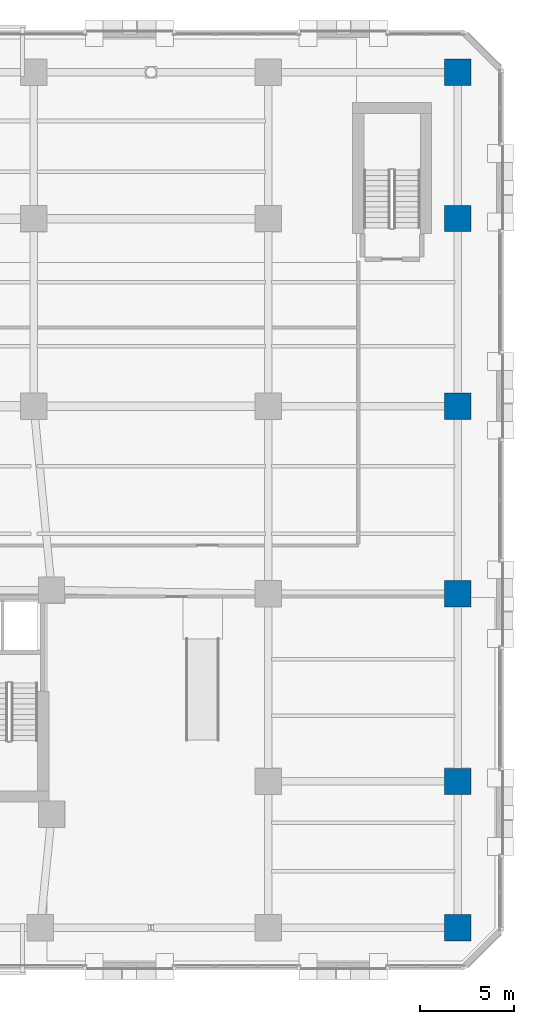
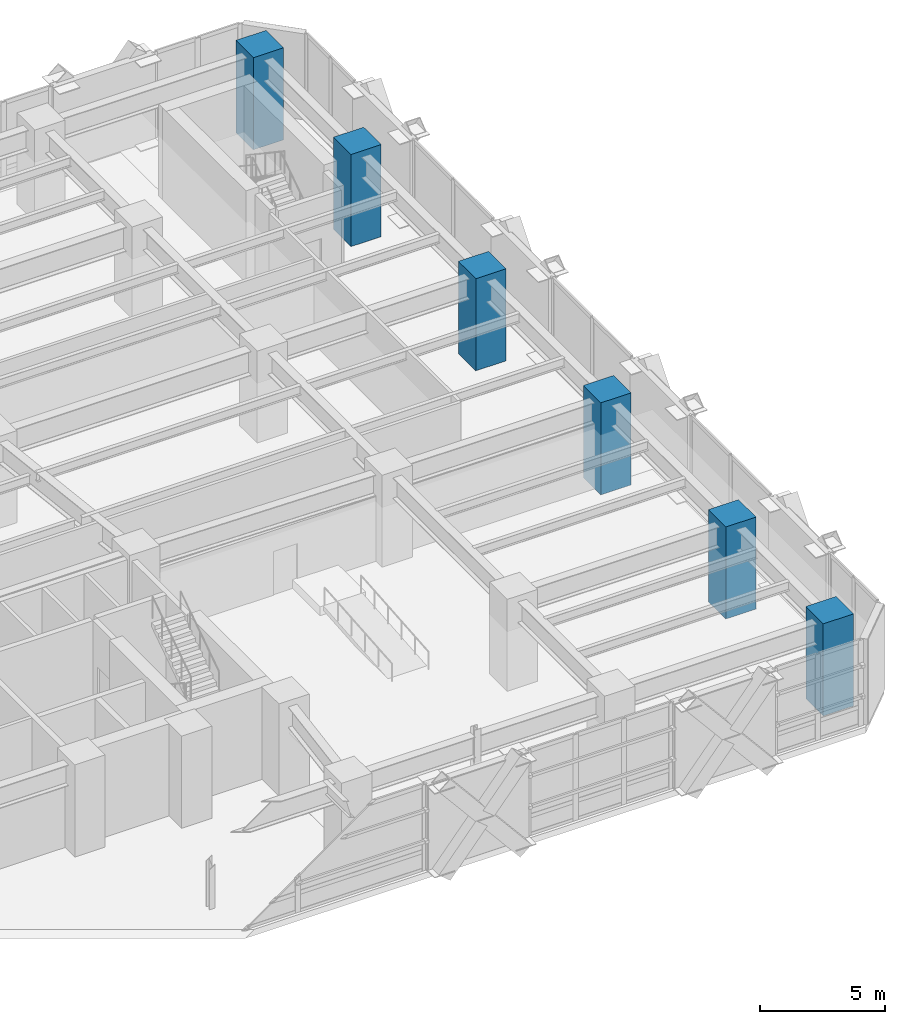
# One storey, part 5 of 30: 6 columns.
"""IFC4 building model written with IfcOpenShell, lengths in metres."""

from ifc_helpers import new_model, si_unit, direction, frame, origin, origin_2d, place, context, subcontext, project, spatial, rectangle, extrude, material, material_profile, profile_set, type_object, element, save


model = new_model("IFC4")

# Units and contexts
model_context = context("Model", 3, precision=1e-05, world=origin(), true_north=direction((0.0, 1.0)))
body_context = subcontext(model_context, "Body", "Model", "MODEL_VIEW")
ifc_project = project(units=[si_unit("LENGTHUNIT", "METRE"), si_unit("AREAUNIT", "SQUARE_METRE"), si_unit("VOLUMEUNIT", "CUBIC_METRE"), si_unit("PLANEANGLEUNIT", "RADIAN"), si_unit("MASSUNIT", "GRAM", prefix="KILO")], contexts=[model_context])

# Site, building, storey
site_placement = place(None, origin())
site = spatial("IfcSite", under=ifc_project, at=site_placement, CompositionType="ELEMENT")
building_placement = place(site_placement, origin())
building = spatial("IfcBuilding", under=site, at=building_placement, Name="Quenlor Broadcast Tower", CompositionType="ELEMENT")
storey_placement = place(building_placement, frame((0.0, 0.0, 9.5)))
storey = spatial("IfcBuildingStorey", under=building, at=storey_placement, Name="L02", CompositionType="ELEMENT", Elevation=9.5)

# Columns
ifc_material = material(Name="Concrete C65/80", Category="concrete")
ifc_material_profile = material_profile(ifc_material, rectangle(XDim=1.39990234375, YDim=1.39990234375, at=origin_2d()))
ifc_profile_set = profile_set([ifc_material_profile], Name="Concrete C65/80 RC1400x1400")
column_type = type_object("IfcColumnType", Name="Podium Mega Column Concrete C65/80 1400", PredefinedType="COLUMN", material=ifc_profile_set)
for number, where, z_axis, x_axis, name in (
    (1, (34.60009765625, -22.800048828125, 0.0), (0.0, 0.0, 1.0), (1.0, 0.0, 0.0), "L02 Podium Mega Column PM6"),
    (2, (34.60009765625, -15.0, 0.0), (0.0, 0.0, 1.0), (1.0, 0.0, 0.0), "L02 Podium Mega Column PM10"),
    (3, (34.60009765625, -5.0, 0.0), (0.0, 0.0, 1.0), (1.0, 0.0, 0.0), "L02 Podium Mega Column PM14"),
    (4, (34.60009765625, 5.0, 0.0), (0.0, 0.0, 1.0), (1.0, 0.0, 0.0), "L02 Podium Mega Column PM20"),
    (5, (34.60009765625, 15.0, 0.0), (0.0, 0.0, 1.0), (1.0, 0.0, 0.0), "L02 Podium Mega Column PM26"),
    (6, (34.60009765625, 22.800048828125, 0.0), (0.0, 0.0, 1.0), (1.0, 0.0, 0.0), "L02 Podium Mega Column PM33"),
):
    element("IfcColumn", number, at=place(storey_placement, frame(where, z_axis=z_axis, x_axis=x_axis)), inside=storey, type_object=column_type, Name=name, PredefinedType="COLUMN", context=body_context, shape_type="SweptSolid", body=[
        extrude(rectangle(XDim=1.39990234375, YDim=1.39990234375, at=origin_2d()), origin(), (0.0, 0.0, 1.0), 4.5),
    ])

save(model, "model.ifc")
